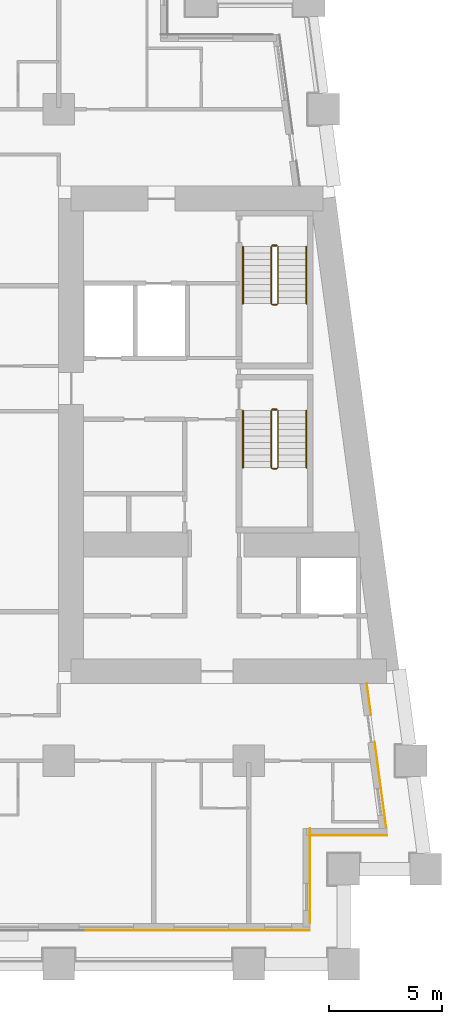
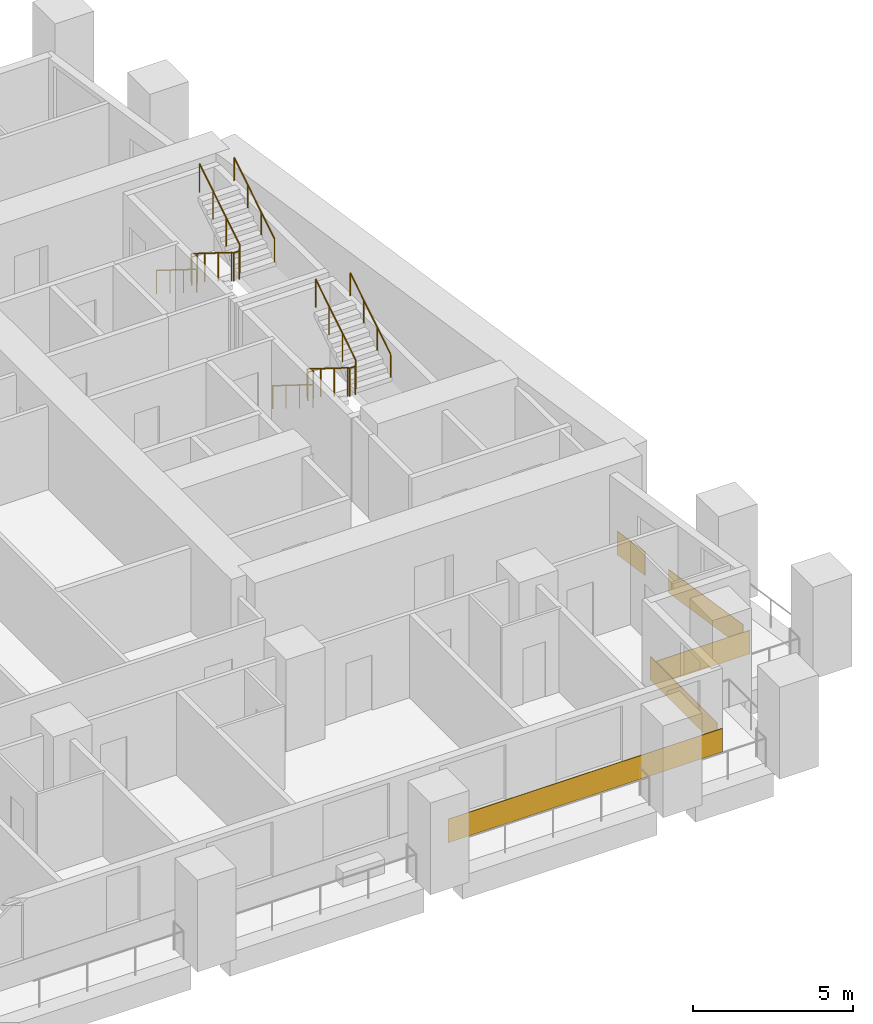
# One storey, part 10 of 12: 8 railings, 5 coverings.
"""IFC4 building model written with IfcOpenShell, lengths in metres."""

from ifc_helpers import new_model, si_unit, direction, frame, origin, origin_2d, place, context, subcontext, project, spatial, rectangle, circle, extrude, material, layer, layer_set, type_object, element, save


model = new_model("IFC4")

# Units and contexts
model_context = context("Model", 3, precision=1e-05, world=origin(), true_north=direction((0.0, 1.0)))
body_context = subcontext(model_context, "Body", "Model", "MODEL_VIEW")
ifc_project = project(units=[si_unit("LENGTHUNIT", "METRE"), si_unit("AREAUNIT", "SQUARE_METRE"), si_unit("VOLUMEUNIT", "CUBIC_METRE"), si_unit("PLANEANGLEUNIT", "RADIAN"), si_unit("MASSUNIT", "GRAM", prefix="KILO")], contexts=[model_context])

# Site, building, storey
site_placement = place(None, origin())
site = spatial("IfcSite", under=ifc_project, at=site_placement, CompositionType="ELEMENT")
building_placement = place(site_placement, origin())
building = spatial("IfcBuilding", under=site, at=building_placement, Name="Candeia Pilgrim Tower and Theatre", CompositionType="ELEMENT")
storey_placement = place(building_placement, frame((0.0, 0.0, 42.5)))
storey = spatial("IfcBuildingStorey", under=building, at=storey_placement, Name="L07", CompositionType="ELEMENT", Elevation=42.5)

# Coverings
ifc_material_1 = material(Name="Glazed ceramic tile deep red")
ifc_layer = layer(ifc_material_1, 0.02001953125)
ifc_layer_set = layer_set([ifc_layer], Name="Glazed ceramic tile deep red")
covering_type = type_object("IfcCoveringType", Name="Glazed ceramic tile deep red", PredefinedType="CLADDING", material=ifc_layer_set)
covering_1_placement = place(storey_placement, frame((132.14990234375, 99.489990234375, 0.0), z_axis=(0.0, 0.0, 1.0), x_axis=(1.0, 0.0, 0.0)))
element("IfcCovering", 1, at=covering_1_placement, inside=storey, type_object=covering_type, Name="Tile cladding deep red L07", PredefinedType="CLADDING", context=body_context, shape_type="SweptSolid", body=[
    extrude(rectangle(XDim=9.89990234375, YDim=0.02001953125, at=origin_2d()), origin(), (0.0, 0.0, 1.0), 0.89990234375),
])
covering_2_placement = place(storey_placement, frame((137.110107421875, 101.909912109375, 0.0), z_axis=(0.0, 0.0, 1.0), x_axis=(0.0, 1.0, 0.0)))
element("IfcCovering", 2, at=covering_2_placement, inside=storey, type_object=covering_type, Name="Tile cladding deep red L07", PredefinedType="CLADDING", context=body_context, shape_type="SweptSolid", body=[
    extrude(rectangle(XDim=4.179931640625, YDim=0.02001953125, at=origin_2d()), origin(), (0.0, 0.0, 1.0), 0.89990234375),
])
covering_3_placement = place(storey_placement, frame((138.819580078125, 103.68994140625, 0.0), z_axis=(0.0, 0.0, 1.0), x_axis=(1.0, 0.0, 0.0)))
element("IfcCovering", 3, at=covering_3_placement, inside=storey, type_object=covering_type, Name="Tile cladding deep red L07", PredefinedType="CLADDING", context=body_context, shape_type="SweptSolid", body=[
    extrude(rectangle(XDim=3.399169921875, YDim=0.02001953125, at=origin_2d()), origin(), (0.0, 0.0, 1.0), 0.89990234375),
])
covering_4_placement = place(storey_placement, frame((140.228515625, 105.933349609375, 0.0), z_axis=(0.0, 0.0, 1.0), x_axis=(-0.133412012145, 0.991060661622, 0.0)))
element("IfcCovering", 4, at=covering_4_placement, inside=storey, type_object=covering_type, Name="Tile cladding deep red L07", PredefinedType="CLADDING", context=body_context, shape_type="SweptSolid", body=[
    extrude(rectangle(XDim=3.821044921875, YDim=0.02001953125, at=origin_2d()), origin(), (0.0, 0.0, 1.0), 0.89990234375),
])
covering_5_placement = place(storey_placement, frame((139.718994140625, 109.71875, 0.0), z_axis=(0.0, 0.0, 1.0), x_axis=(-0.133412012145, 0.991060661622, 0.0)))
element("IfcCovering", 5, at=covering_5_placement, inside=storey, type_object=covering_type, Name="Tile cladding deep red L07", PredefinedType="CLADDING", context=body_context, shape_type="SweptSolid", body=[
    extrude(rectangle(XDim=1.41796875, YDim=0.02001953125, at=origin_2d()), origin(), (0.0, 0.0, 1.0), 0.89990234375),
])

# Railings
ifc_material_2 = material(Name="Stainless steel balustrade", Category="steel")
railing_type_1 = type_object("IfcRailingType", Name="RL-GUARD-1100", PredefinedType="GUARDRAIL", material=ifc_material_2)
railing_1_placement = place(storey_placement, frame((135.39794921875, 122.47509765625, 0.175048828125)))
element("IfcRailing", 6, at=railing_1_placement, inside=storey, type_object=railing_type_1, Name="L07 ST3 stair guard 1", PredefinedType="GUARDRAIL", context=body_context, shape_type="SweptSolid", body=[
    extrude(circle(Radius=0.02392578125, at=origin_2d()), frame((0.0, 0.0, 1.076171875), z_axis=(0.0, -0.848007534815, 0.529984170421), x_axis=(1.0, 0.0, 0.0)), (0.0, 0.0, 1.0), 2.9716796875),
    extrude(circle(Radius=0.02392578125, at=origin_2d()), frame((0.0, -2.52001953125, 2.65087890625), z_axis=(0.707106781187, -0.707106781187, 0.0), x_axis=(0.707106781187, 0.707106781187, 0.0)), (0.0, 0.0, 1.0), 0.07080078125),
    extrude(circle(Radius=0.02392578125, at=origin_2d()), frame((0.050048828125, -2.570068359375, 2.65087890625), z_axis=(1.0, 0.0, 0.0), x_axis=(0.0, 1.0, 0.0)), (0.0, 0.0, 1.0), 0.199951171875),
    extrude(circle(Radius=0.02392578125, at=origin_2d()), frame((0.25, -2.570068359375, 2.65087890625), z_axis=(0.265065253269, 0.265065253269, 0.927081885822), x_axis=(-0.707106781187, 0.707106781187, 0.0)), (0.0, 0.0, 1.0), 0.188720703125),
    extrude(circle(Radius=0.02392578125, at=origin_2d()), frame((0.300048828125, -2.52001953125, 2.826171875), z_axis=(0.0, 0.848007534815, 0.529984170421), x_axis=(-1.0, 0.0, 0.0)), (0.0, 0.0, 1.0), 2.9716796875),
    extrude(circle(Radius=0.02099609375, at=origin_2d()), origin(), (0.0, 0.0, 1.0), 1.052001953125),
    extrude(circle(Radius=0.02099609375, at=origin_2d()), frame((0.0, -0.840087890625, 0.52490234375)), (0.0, 0.0, 1.0), 1.052001953125),
    extrude(circle(Radius=0.02099609375, at=origin_2d()), frame((0.0, -1.679931640625, 1.050048828125)), (0.0, 0.0, 1.0), 1.052001953125),
    extrude(circle(Radius=0.02099609375, at=origin_2d()), frame((0.0, -2.52001953125, 1.574951171875)), (0.0, 0.0, 1.0), 1.052001953125),
    extrude(circle(Radius=0.02099609375, at=origin_2d()), frame((0.050048828125, -2.570068359375, 1.574951171875)), (0.0, 0.0, 1.0), 1.052001953125),
    extrude(circle(Radius=0.02099609375, at=origin_2d()), frame((0.25, -2.570068359375, 1.574951171875)), (0.0, 0.0, 1.0), 1.052001953125),
    extrude(circle(Radius=0.02099609375, at=origin_2d()), frame((0.300048828125, -2.52001953125, 1.75)), (0.0, 0.0, 1.0), 1.052001953125),
    extrude(circle(Radius=0.02099609375, at=origin_2d()), frame((0.300048828125, -1.679931640625, 2.27490234375)), (0.0, 0.0, 1.0), 1.052001953125),
    extrude(circle(Radius=0.02099609375, at=origin_2d()), frame((0.300048828125, -0.840087890625, 2.800048828125)), (0.0, 0.0, 1.0), 1.052001953125),
    extrude(circle(Radius=0.02099609375, at=origin_2d()), frame((0.300048828125, 0.0, 3.324951171875)), (0.0, 0.0, 1.0), 1.052001953125),
])
railing_2_placement = place(storey_placement, frame((135.447998046875, 122.52490234375, 0.0)))
element("IfcRailing", 7, at=railing_2_placement, inside=storey, type_object=railing_type_1, Name="L07 ST3 stair guard 2", PredefinedType="GUARDRAIL", context=body_context, shape_type="SweptSolid", body=[
    extrude(circle(Radius=0.02392578125, at=origin_2d()), frame((0.0, 0.0, 1.076171875), z_axis=(1.0, 0.0, 0.0), x_axis=(0.0, 1.0, 0.0)), (0.0, 0.0, 1.0), 0.199951171875),
    extrude(circle(Radius=0.02099609375, at=origin_2d()), origin(), (0.0, 0.0, 1.0), 1.052001953125),
    extrude(circle(Radius=0.02099609375, at=origin_2d()), frame((0.199951171875, 0.0, 0.0)), (0.0, 0.0, 1.0), 1.052001953125),
])
railing_3_placement = place(storey_placement, frame((135.39794921875, 129.72509765625, 0.175048828125)))
element("IfcRailing", 8, at=railing_3_placement, inside=storey, type_object=railing_type_1, Name="L07 ST4 stair guard 1", PredefinedType="GUARDRAIL", context=body_context, shape_type="SweptSolid", body=[
    extrude(circle(Radius=0.02392578125, at=origin_2d()), frame((0.0, 0.0, 1.076171875), z_axis=(0.0, -0.848007534815, 0.529984170421), x_axis=(1.0, 0.0, 0.0)), (0.0, 0.0, 1.0), 2.9716796875),
    extrude(circle(Radius=0.02392578125, at=origin_2d()), frame((0.0, -2.52001953125, 2.65087890625), z_axis=(0.707106781187, -0.707106781187, 0.0), x_axis=(0.707106781187, 0.707106781187, 0.0)), (0.0, 0.0, 1.0), 0.07080078125),
    extrude(circle(Radius=0.02392578125, at=origin_2d()), frame((0.050048828125, -2.570068359375, 2.65087890625), z_axis=(1.0, 0.0, 0.0), x_axis=(0.0, 1.0, 0.0)), (0.0, 0.0, 1.0), 0.199951171875),
    extrude(circle(Radius=0.02392578125, at=origin_2d()), frame((0.25, -2.570068359375, 2.65087890625), z_axis=(0.265065253269, 0.265065253269, 0.927081885822), x_axis=(-0.707106781187, 0.707106781187, 0.0)), (0.0, 0.0, 1.0), 0.188720703125),
    extrude(circle(Radius=0.02392578125, at=origin_2d()), frame((0.300048828125, -2.52001953125, 2.826171875), z_axis=(0.0, 0.848007534815, 0.529984170421), x_axis=(-1.0, 0.0, 0.0)), (0.0, 0.0, 1.0), 2.9716796875),
    extrude(circle(Radius=0.02099609375, at=origin_2d()), origin(), (0.0, 0.0, 1.0), 1.052001953125),
    extrude(circle(Radius=0.02099609375, at=origin_2d()), frame((0.0, -0.840087890625, 0.52490234375)), (0.0, 0.0, 1.0), 1.052001953125),
    extrude(circle(Radius=0.02099609375, at=origin_2d()), frame((0.0, -1.679931640625, 1.050048828125)), (0.0, 0.0, 1.0), 1.052001953125),
    extrude(circle(Radius=0.02099609375, at=origin_2d()), frame((0.0, -2.52001953125, 1.574951171875)), (0.0, 0.0, 1.0), 1.052001953125),
    extrude(circle(Radius=0.02099609375, at=origin_2d()), frame((0.050048828125, -2.570068359375, 1.574951171875)), (0.0, 0.0, 1.0), 1.052001953125),
    extrude(circle(Radius=0.02099609375, at=origin_2d()), frame((0.25, -2.570068359375, 1.574951171875)), (0.0, 0.0, 1.0), 1.052001953125),
    extrude(circle(Radius=0.02099609375, at=origin_2d()), frame((0.300048828125, -2.52001953125, 1.75)), (0.0, 0.0, 1.0), 1.052001953125),
    extrude(circle(Radius=0.02099609375, at=origin_2d()), frame((0.300048828125, -1.679931640625, 2.27490234375)), (0.0, 0.0, 1.0), 1.052001953125),
    extrude(circle(Radius=0.02099609375, at=origin_2d()), frame((0.300048828125, -0.840087890625, 2.800048828125)), (0.0, 0.0, 1.0), 1.052001953125),
    extrude(circle(Radius=0.02099609375, at=origin_2d()), frame((0.300048828125, 0.0, 3.324951171875)), (0.0, 0.0, 1.0), 1.052001953125),
])
railing_4_placement = place(storey_placement, frame((135.447998046875, 129.77490234375, 0.0)))
element("IfcRailing", 9, at=railing_4_placement, inside=storey, type_object=railing_type_1, Name="L07 ST4 stair guard 2", PredefinedType="GUARDRAIL", context=body_context, shape_type="SweptSolid", body=[
    extrude(circle(Radius=0.02392578125, at=origin_2d()), frame((0.0, 0.0, 1.076171875), z_axis=(1.0, 0.0, 0.0), x_axis=(0.0, 1.0, 0.0)), (0.0, 0.0, 1.0), 0.199951171875),
    extrude(circle(Radius=0.02099609375, at=origin_2d()), origin(), (0.0, 0.0, 1.0), 1.052001953125),
    extrude(circle(Radius=0.02099609375, at=origin_2d()), frame((0.199951171875, 0.0, 0.0)), (0.0, 0.0, 1.0), 1.052001953125),
])
ifc_material_3 = material(Name="Stainless steel handrail", Category="steel")
railing_type_2 = type_object("IfcRailingType", Name="RL-HANDRAIL-900", PredefinedType="HANDRAIL", material=ifc_material_3)
railing_5_placement = place(storey_placement, frame((134.14794921875, 122.47509765625, 0.175048828125)))
element("IfcRailing", 10, at=railing_5_placement, inside=storey, type_object=railing_type_2, Name="L07 ST3 stair handrail 1", PredefinedType="HANDRAIL", context=body_context, shape_type="SweptSolid", body=[
    extrude(circle(Radius=0.02392578125, at=origin_2d()), frame((0.0, 0.0, 0.8759765625), z_axis=(0.0, -0.848007534815, 0.529984170421), x_axis=(1.0, 0.0, 0.0)), (0.0, 0.0, 1.0), 2.9716796875),
    extrude(circle(Radius=0.02099609375, at=origin_2d()), origin(), (0.0, 0.0, 1.0), 0.851806640625),
    extrude(circle(Radius=0.02099609375, at=origin_2d()), frame((0.0, -0.840087890625, 0.52490234375)), (0.0, 0.0, 1.0), 0.851806640625),
    extrude(circle(Radius=0.02099609375, at=origin_2d()), frame((0.0, -1.679931640625, 1.050048828125)), (0.0, 0.0, 1.0), 0.851806640625),
    extrude(circle(Radius=0.02099609375, at=origin_2d()), frame((0.0, -2.52001953125, 1.574951171875)), (0.0, 0.0, 1.0), 0.851806640625),
])
railing_6_placement = place(storey_placement, frame((136.947998046875, 119.955078125, 1.925048828125)))
element("IfcRailing", 11, at=railing_6_placement, inside=storey, type_object=railing_type_2, Name="L07 ST3 stair handrail 2", PredefinedType="HANDRAIL", context=body_context, shape_type="SweptSolid", body=[
    extrude(circle(Radius=0.02392578125, at=origin_2d()), frame((0.0, 0.0, 0.8759765625), z_axis=(0.0, 0.848007534815, 0.529984170421), x_axis=(-1.0, 0.0, 0.0)), (0.0, 0.0, 1.0), 2.9716796875),
    extrude(circle(Radius=0.02099609375, at=origin_2d()), origin(), (0.0, 0.0, 1.0), 0.851806640625),
    extrude(circle(Radius=0.02099609375, at=origin_2d()), frame((0.0, 0.840087890625, 0.52490234375)), (0.0, 0.0, 1.0), 0.851806640625),
    extrude(circle(Radius=0.02099609375, at=origin_2d()), frame((0.0, 1.679931640625, 1.050048828125)), (0.0, 0.0, 1.0), 0.851806640625),
    extrude(circle(Radius=0.02099609375, at=origin_2d()), frame((0.0, 2.52001953125, 1.574951171875)), (0.0, 0.0, 1.0), 0.851806640625),
])
railing_7_placement = place(storey_placement, frame((134.14794921875, 129.72509765625, 0.175048828125)))
element("IfcRailing", 12, at=railing_7_placement, inside=storey, type_object=railing_type_2, Name="L07 ST4 stair handrail 1", PredefinedType="HANDRAIL", context=body_context, shape_type="SweptSolid", body=[
    extrude(circle(Radius=0.02392578125, at=origin_2d()), frame((0.0, 0.0, 0.8759765625), z_axis=(0.0, -0.848007534815, 0.529984170421), x_axis=(1.0, 0.0, 0.0)), (0.0, 0.0, 1.0), 2.9716796875),
    extrude(circle(Radius=0.02099609375, at=origin_2d()), origin(), (0.0, 0.0, 1.0), 0.851806640625),
    extrude(circle(Radius=0.02099609375, at=origin_2d()), frame((0.0, -0.840087890625, 0.52490234375)), (0.0, 0.0, 1.0), 0.851806640625),
    extrude(circle(Radius=0.02099609375, at=origin_2d()), frame((0.0, -1.679931640625, 1.050048828125)), (0.0, 0.0, 1.0), 0.851806640625),
    extrude(circle(Radius=0.02099609375, at=origin_2d()), frame((0.0, -2.52001953125, 1.574951171875)), (0.0, 0.0, 1.0), 0.851806640625),
])
railing_8_placement = place(storey_placement, frame((136.947998046875, 127.205078125, 1.925048828125)))
element("IfcRailing", 13, at=railing_8_placement, inside=storey, type_object=railing_type_2, Name="L07 ST4 stair handrail 2", PredefinedType="HANDRAIL", context=body_context, shape_type="SweptSolid", body=[
    extrude(circle(Radius=0.02392578125, at=origin_2d()), frame((0.0, 0.0, 0.8759765625), z_axis=(0.0, 0.848007534815, 0.529984170421), x_axis=(-1.0, 0.0, 0.0)), (0.0, 0.0, 1.0), 2.9716796875),
    extrude(circle(Radius=0.02099609375, at=origin_2d()), origin(), (0.0, 0.0, 1.0), 0.851806640625),
    extrude(circle(Radius=0.02099609375, at=origin_2d()), frame((0.0, 0.840087890625, 0.52490234375)), (0.0, 0.0, 1.0), 0.851806640625),
    extrude(circle(Radius=0.02099609375, at=origin_2d()), frame((0.0, 1.679931640625, 1.050048828125)), (0.0, 0.0, 1.0), 0.851806640625),
    extrude(circle(Radius=0.02099609375, at=origin_2d()), frame((0.0, 2.52001953125, 1.574951171875)), (0.0, 0.0, 1.0), 0.851806640625),
])

save(model, "model.ifc")
